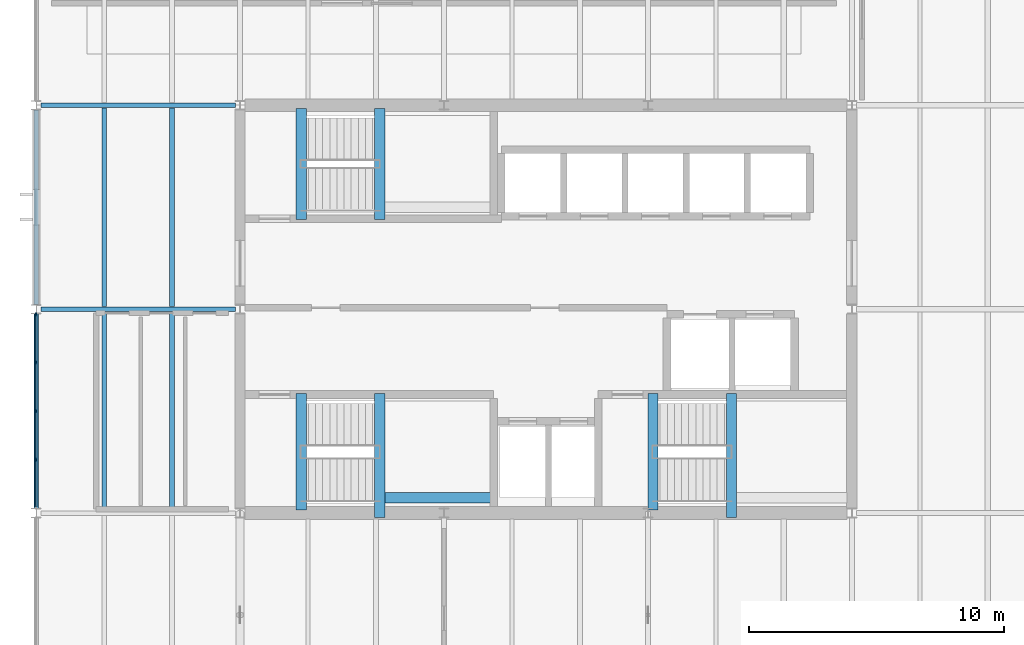
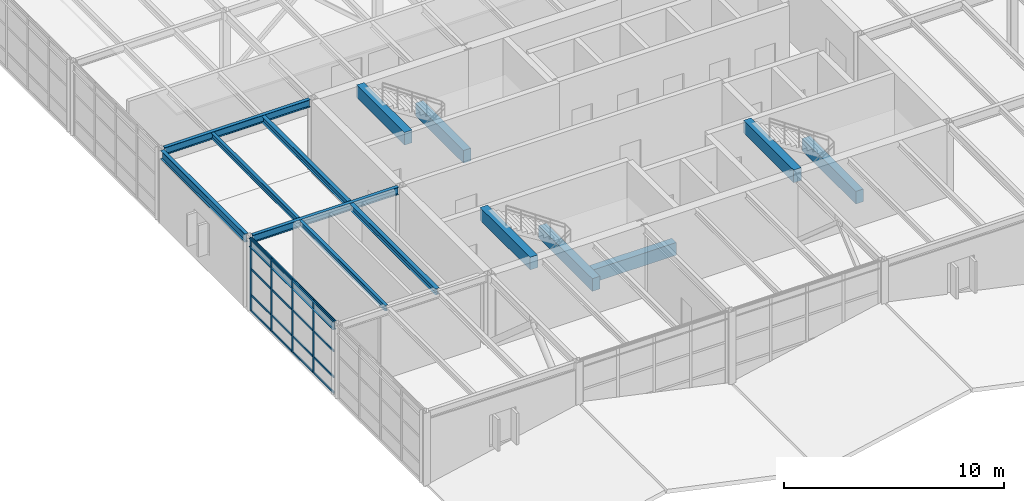
# One storey, part 8 of 34: 20 members, 15 beams, 1 element without a shape of its own.
"""IFC4 building model written with IfcOpenShell, lengths in metres."""

from ifc_helpers import new_model, si_unit, direction, frame, origin, origin_2d, place, context, subcontext, project, spatial, rectangle, i_section, extrude, material, layer, layer_set, material_profile, profile_set, type_object, element, aggregate, save


model = new_model("IFC4")

# Units and contexts
model_context = context("Model", 3, precision=1e-05, world=origin(), true_north=direction((0.0, 1.0)))
body_context = subcontext(model_context, "Body", "Model", "MODEL_VIEW")
ifc_project = project(units=[si_unit("LENGTHUNIT", "METRE"), si_unit("AREAUNIT", "SQUARE_METRE"), si_unit("VOLUMEUNIT", "CUBIC_METRE"), si_unit("PLANEANGLEUNIT", "RADIAN"), si_unit("MASSUNIT", "GRAM", prefix="KILO")], contexts=[model_context])

# Site, building, storey
site_placement = place(None, origin())
site = spatial("IfcSite", under=ifc_project, at=site_placement, CompositionType="ELEMENT")
building_placement = place(site_placement, origin())
building = spatial("IfcBuilding", under=site, at=building_placement, Name="Varnela Railside Interchange", CompositionType="ELEMENT")
storey_placement = place(building_placement, frame((0.0, 0.0, 19.60009765625)))
storey = spatial("IfcBuildingStorey", under=building, at=storey_placement, Name="L04", CompositionType="ELEMENT", Elevation=19.60009765625)

# Beams
ifc_material_1 = material(Name="Steel AR 350 (350 MPa)", Category="steel")
ifc_material_profile_1 = material_profile(ifc_material_1, i_section(OverallWidth=0.1650390625, OverallDepth=0.31005859375, WebThickness=0.005859375, FlangeThickness=0.009765625, at=origin_2d()), Name="W310x38.7")
ifc_profile_set_1 = profile_set([ifc_material_profile_1], Name="Steel AR 350 (350 MPa)")
beam_type_1 = type_object("IfcBeamType", Name="Composite Floor Joist J-04", PredefinedType="JOIST", material=ifc_profile_set_1)
for number, where, z_axis, x_axis, name in (
    (1, (6.669921875, 54.1044921875, 3.864990234375), (0.0, 1.0, 0.0), (-1.0, 0.0, 0.0), "Composite Floor Joist J-04 (L04) (BM-2370)"),
    (2, (6.669921875, 62.1044921875, 3.864990234375), (0.0, 1.0, 0.0), (-1.0, 0.0, 0.0), "Composite Floor Joist J-04 (L04) (BM-2372)"),
):
    element("IfcBeam", number, at=place(storey_placement, frame(where, z_axis=z_axis, x_axis=x_axis)), inside=storey, type_object=beam_type_1, Name=name, PredefinedType="JOIST", context=body_context, shape_type="SweptSolid", body=[
        extrude(i_section(OverallWidth=0.1650390625, OverallDepth=0.31005859375, WebThickness=0.005859375, FlangeThickness=0.009765625, at=origin_2d()), origin(), (0.0, 0.0, 1.0), 7.791015625),
    ])
ifc_material_profile_2 = material_profile(ifc_material_1, i_section(OverallWidth=0.202880859375, OverallDepth=0.346923828125, WebThickness=0.0078125, FlangeThickness=0.013427734375, at=origin_2d()), Name="W360x64")
ifc_profile_set_2 = profile_set([ifc_material_profile_2], Name="Steel AR 350 (350 MPa)")
beam_type_2 = type_object("IfcBeamType", Name="Composite Heavy Joist J-01", PredefinedType="JOIST", material=ifc_profile_set_2)
for number, where, z_axis, x_axis, name in (
    (3, (9.330078125, 54.1044921875, 3.846435546875), (0.0, 1.0, 0.0), (-1.0, 0.0, 0.0), "Composite Heavy Joist J-01 (L04) (BM-2371)"),
    (4, (9.330078125, 62.1044921875, 3.846435546875), (0.0, 1.0, 0.0), (-1.0, 0.0, 0.0), "Composite Heavy Joist J-01 (L04) (BM-2373)"),
):
    element("IfcBeam", number, at=place(storey_placement, frame(where, z_axis=z_axis, x_axis=x_axis)), inside=storey, type_object=beam_type_2, Name=name, PredefinedType="JOIST", context=body_context, shape_type="SweptSolid", body=[
        extrude(i_section(OverallWidth=0.202880859375, OverallDepth=0.346923828125, WebThickness=0.0078125, FlangeThickness=0.013427734375, at=origin_2d()), origin(), (0.0, 0.0, 1.0), 7.791015625),
    ])
ifc_material_2 = material(Name="Concrete C40", Category="concrete")
ifc_material_profile_3 = material_profile(ifc_material_2, rectangle(XDim=0.39990234375, YDim=0.699951171875, at=origin_2d()), Name="RC 400x700")
ifc_profile_set_3 = profile_set([ifc_material_profile_3], Name="Concrete C40")
beam_type_3 = type_object("IfcBeamType", Name="Concrete Tie Beam B-01", PredefinedType="BEAM", material=ifc_profile_set_3)
beam_1_placement = place(storey_placement, frame((14.39990234375, 54.1201171875, 3.669921875), z_axis=(0.0, 1.0, 0.0), x_axis=(-1.0, 0.0, 0.0)))
element("IfcBeam", 5, at=beam_1_placement, inside=storey, type_object=beam_type_3, Name="Concrete Tie Beam B-01 (L04) (BM-2537)", PredefinedType="BEAM", context=body_context, shape_type="SweptSolid", body=[
    extrude(rectangle(XDim=0.39990234375, YDim=0.699951171875, at=origin_2d()), origin(), (0.0, 0.0, 1.0), 4.559814453125),
])
beam_2_placement = place(storey_placement, frame((17.47998046875, 53.820068359375, 1.58984375), z_axis=(0.0, 1.0, 0.0), x_axis=(-1.0, 0.0, 0.0)))
element("IfcBeam", 6, at=beam_2_placement, inside=storey, type_object=beam_type_3, Name="Concrete Tie Beam B-01 (L04) (BM-2534)", PredefinedType="BEAM", context=body_context, shape_type="SweptSolid", body=[
    extrude(rectangle(XDim=0.39990234375, YDim=0.699951171875, at=origin_2d()), origin(), (0.0, 0.0, 1.0), 4.85986328125),
])
beam_3_placement = place(storey_placement, frame((17.679931640625, 54.60009765625, 1.58984375), z_axis=(1.0, 0.0, 0.0), x_axis=(0.0, 1.0, 0.0)))
element("IfcBeam", 7, at=beam_3_placement, inside=storey, type_object=beam_type_3, Name="Concrete Tie Beam B-01 (L04) (BM-2531)", PredefinedType="BEAM", context=body_context, shape_type="SweptSolid", body=[
    extrude(rectangle(XDim=0.39990234375, YDim=0.699951171875, at=origin_2d()), origin(), (0.0, 0.0, 1.0), 4.340087890625),
])
beam_4_placement = place(storey_placement, frame((28.199951171875, 54.1201171875, 3.669921875), z_axis=(0.0, 1.0, 0.0), x_axis=(-1.0, 0.0, 0.0)))
element("IfcBeam", 8, at=beam_4_placement, inside=storey, type_object=beam_type_3, Name="Concrete Tie Beam B-01 (L04) (BM-2538)", PredefinedType="BEAM", context=body_context, shape_type="SweptSolid", body=[
    extrude(rectangle(XDim=0.39990234375, YDim=0.699951171875, at=origin_2d()), origin(), (0.0, 0.0, 1.0), 4.559814453125),
])
beam_5_placement = place(storey_placement, frame((31.280029296875, 53.820068359375, 1.58984375), z_axis=(0.0, 1.0, 0.0), x_axis=(-1.0, 0.0, 0.0)))
element("IfcBeam", 9, at=beam_5_placement, inside=storey, type_object=beam_type_3, Name="Concrete Tie Beam B-01 (L04) (BM-2535)", PredefinedType="BEAM", context=body_context, shape_type="SweptSolid", body=[
    extrude(rectangle(XDim=0.39990234375, YDim=0.699951171875, at=origin_2d()), origin(), (0.0, 0.0, 1.0), 4.85986328125),
])
for number, where, z_axis, x_axis, name in (
    (10, (14.39990234375, 65.52001953125, 3.669921875), (0.0, 1.0, 0.0), (-1.0, 0.0, 0.0), "Concrete Tie Beam B-01 (L04) (BM-2539)"),
    (11, (17.47998046875, 65.52001953125, 1.58984375), (0.0, 1.0, 0.0), (-1.0, 0.0, 0.0), "Concrete Tie Beam B-01 (L04) (BM-2536)"),
):
    element("IfcBeam", number, at=place(storey_placement, frame(where, z_axis=z_axis, x_axis=x_axis)), inside=storey, type_object=beam_type_3, Name=name, PredefinedType="BEAM", context=body_context, shape_type="SweptSolid", body=[
        extrude(rectangle(XDim=0.39990234375, YDim=0.699951171875, at=origin_2d()), origin(), (0.0, 0.0, 1.0), 4.35986328125),
    ])

# Curtain wall, members
ifc_material_3 = material(Name="Aluminium 6063-T6", Category="aluminium")
ifc_layer = layer(ifc_material_3, 0.035888671875)
ifc_layer_set = layer_set([ifc_layer], Name="Aluminium 6063-T6")
curtain_wall_type = type_object("IfcCurtainWallType", Name="Operations Wing Facade Curtain Wall CW-03", PredefinedType="USERDEFINED", material=ifc_layer_set)
curtain_wall_placement = place(storey_placement, origin())
curtain_wall = element("IfcCurtainWall", 12, at=curtain_wall_placement, inside=storey, type_object=curtain_wall_type, Name="Curtain Wall CW-03 (L04) (CW-122)", ObjectType="CURTAIN WALL", PredefinedType="USERDEFINED")
ifc_material_profile_4 = material_profile(ifc_material_3, rectangle(XDim=0.06005859375, YDim=0.139892578125, at=origin_2d()), Name="ALU 60x140")
ifc_profile_set_4 = profile_set([ifc_material_profile_4], Name="Aluminium 6063-T6")
member_type_1 = type_object("IfcMemberType", Name="Curtain Wall Mullion ML-01", PredefinedType="MULLION", material=ifc_profile_set_4)
member_1_placement = place(storey_placement, frame((4.0, 56.090087890625, 0.0), z_axis=(0.0, 0.0, 1.0), x_axis=(-1.0, 0.0, 0.0)))
member_1 = element("IfcMember", 13, at=member_1_placement, type_object=member_type_1, Name="CW-03 mullion 2", PredefinedType="MULLION", context=body_context, shape_type="SweptSolid", body=[
    extrude(rectangle(XDim=0.06005859375, YDim=0.139892578125, at=origin_2d()), origin(), (0.0, 0.0, 1.0), 4.02001953125),
])
member_2_placement = place(storey_placement, frame((4.0, 58.0, 0.0), z_axis=(0.0, 0.0, 1.0), x_axis=(-1.0, 0.0, 0.0)))
member_2 = element("IfcMember", 14, at=member_2_placement, type_object=member_type_1, Name="CW-03 mullion 3", PredefinedType="MULLION", context=body_context, shape_type="SweptSolid", body=[
    extrude(rectangle(XDim=0.06005859375, YDim=0.139892578125, at=origin_2d()), origin(), (0.0, 0.0, 1.0), 4.02001953125),
])
member_3_placement = place(storey_placement, frame((4.0, 59.909912109375, 0.0), z_axis=(0.0, 0.0, 1.0), x_axis=(-1.0, 0.0, 0.0)))
member_3 = element("IfcMember", 15, at=member_3_placement, type_object=member_type_1, Name="CW-03 mullion 4", PredefinedType="MULLION", context=body_context, shape_type="SweptSolid", body=[
    extrude(rectangle(XDim=0.06005859375, YDim=0.139892578125, at=origin_2d()), origin(), (0.0, 0.0, 1.0), 4.02001953125),
])
member_4_placement = place(storey_placement, frame((4.0, 61.7900390625, 0.0), z_axis=(0.0, 0.0, 1.0), x_axis=(-1.0, 0.0, 0.0)))
member_4 = element("IfcMember", 16, at=member_4_placement, type_object=member_type_1, Name="CW-03 mullion 5", PredefinedType="MULLION", context=body_context, shape_type="SweptSolid", body=[
    extrude(rectangle(XDim=0.06005859375, YDim=0.139892578125, at=origin_2d()), origin(), (0.0, 0.0, 1.0), 4.02001953125),
])
ifc_material_profile_5 = material_profile(ifc_material_3, rectangle(XDim=0.06005859375, YDim=0.110107421875, at=origin_2d()), Name="ALU 60x110")
ifc_profile_set_5 = profile_set([ifc_material_profile_5], Name="Aluminium 6063-T6")
member_type_2 = type_object("IfcMemberType", Name="Curtain Wall Transom TR-01", PredefinedType="USERDEFINED", material=ifc_profile_set_5)
member_5_placement = place(storey_placement, frame((4.0, 54.239990234375, 0.02978515625), z_axis=(0.0, 1.0, 0.0), x_axis=(-1.0, 0.0, 0.0)))
member_5 = element("IfcMember", 17, at=member_5_placement, type_object=member_type_2, Name="CW-03 transom 1.1", ObjectType="TRANSOM", PredefinedType="USERDEFINED", context=body_context, shape_type="SweptSolid", body=[
    extrude(rectangle(XDim=0.06005859375, YDim=0.110107421875, at=origin_2d()), origin(), (0.0, 0.0, 1.0), 1.820068359375),
])
member_6_placement = place(storey_placement, frame((4.0, 54.239990234375, 0.89990234375), z_axis=(0.0, 1.0, 0.0), x_axis=(-1.0, 0.0, 0.0)))
member_6 = element("IfcMember", 18, at=member_6_placement, type_object=member_type_2, Name="CW-03 transom 1.2", ObjectType="TRANSOM", PredefinedType="USERDEFINED", context=body_context, shape_type="SweptSolid", body=[
    extrude(rectangle(XDim=0.06005859375, YDim=0.110107421875, at=origin_2d()), origin(), (0.0, 0.0, 1.0), 1.820068359375),
])
member_7_placement = place(storey_placement, frame((4.0, 54.239990234375, 2.33154296875), z_axis=(0.0, 1.0, 0.0), x_axis=(-1.0, 0.0, 0.0)))
member_7 = element("IfcMember", 19, at=member_7_placement, type_object=member_type_2, Name="CW-03 transom 1.3", ObjectType="TRANSOM", PredefinedType="USERDEFINED", context=body_context, shape_type="SweptSolid", body=[
    extrude(rectangle(XDim=0.06005859375, YDim=0.110107421875, at=origin_2d()), origin(), (0.0, 0.0, 1.0), 1.820068359375),
])
member_8_placement = place(storey_placement, frame((4.0, 54.239990234375, 3.989990234375), z_axis=(0.0, 1.0, 0.0), x_axis=(-1.0, 0.0, 0.0)))
member_8 = element("IfcMember", 20, at=member_8_placement, type_object=member_type_2, Name="CW-03 transom 1.4", ObjectType="TRANSOM", PredefinedType="USERDEFINED", context=body_context, shape_type="SweptSolid", body=[
    extrude(rectangle(XDim=0.06005859375, YDim=0.110107421875, at=origin_2d()), origin(), (0.0, 0.0, 1.0), 1.820068359375),
])
member_9_placement = place(storey_placement, frame((4.0, 56.1201171875, 0.02978515625), z_axis=(0.0, 1.0, 0.0), x_axis=(-1.0, 0.0, 0.0)))
member_9 = element("IfcMember", 21, at=member_9_placement, type_object=member_type_2, Name="CW-03 transom 2.1", ObjectType="TRANSOM", PredefinedType="USERDEFINED", context=body_context, shape_type="SweptSolid", body=[
    extrude(rectangle(XDim=0.06005859375, YDim=0.110107421875, at=origin_2d()), origin(), (0.0, 0.0, 1.0), 1.849853515625),
])
member_10_placement = place(storey_placement, frame((4.0, 56.1201171875, 0.89990234375), z_axis=(0.0, 1.0, 0.0), x_axis=(-1.0, 0.0, 0.0)))
member_10 = element("IfcMember", 22, at=member_10_placement, type_object=member_type_2, Name="CW-03 transom 2.2", ObjectType="TRANSOM", PredefinedType="USERDEFINED", context=body_context, shape_type="SweptSolid", body=[
    extrude(rectangle(XDim=0.06005859375, YDim=0.110107421875, at=origin_2d()), origin(), (0.0, 0.0, 1.0), 1.849853515625),
])
member_11_placement = place(storey_placement, frame((4.0, 56.1201171875, 2.33154296875), z_axis=(0.0, 1.0, 0.0), x_axis=(-1.0, 0.0, 0.0)))
member_11 = element("IfcMember", 23, at=member_11_placement, type_object=member_type_2, Name="CW-03 transom 2.3", ObjectType="TRANSOM", PredefinedType="USERDEFINED", context=body_context, shape_type="SweptSolid", body=[
    extrude(rectangle(XDim=0.06005859375, YDim=0.110107421875, at=origin_2d()), origin(), (0.0, 0.0, 1.0), 1.849853515625),
])
member_12_placement = place(storey_placement, frame((4.0, 56.1201171875, 3.989990234375), z_axis=(0.0, 1.0, 0.0), x_axis=(-1.0, 0.0, 0.0)))
member_12 = element("IfcMember", 24, at=member_12_placement, type_object=member_type_2, Name="CW-03 transom 2.4", ObjectType="TRANSOM", PredefinedType="USERDEFINED", context=body_context, shape_type="SweptSolid", body=[
    extrude(rectangle(XDim=0.06005859375, YDim=0.110107421875, at=origin_2d()), origin(), (0.0, 0.0, 1.0), 1.849853515625),
])
member_13_placement = place(storey_placement, frame((4.0, 58.030029296875, 0.02978515625), z_axis=(0.0, 1.0, 0.0), x_axis=(-1.0, 0.0, 0.0)))
member_13 = element("IfcMember", 25, at=member_13_placement, type_object=member_type_2, Name="CW-03 transom 3.1", ObjectType="TRANSOM", PredefinedType="USERDEFINED", context=body_context, shape_type="SweptSolid", body=[
    extrude(rectangle(XDim=0.06005859375, YDim=0.110107421875, at=origin_2d()), origin(), (0.0, 0.0, 1.0), 1.849853515625),
])
member_14_placement = place(storey_placement, frame((4.0, 58.030029296875, 0.89990234375), z_axis=(0.0, 1.0, 0.0), x_axis=(-1.0, 0.0, 0.0)))
member_14 = element("IfcMember", 26, at=member_14_placement, type_object=member_type_2, Name="CW-03 transom 3.2", ObjectType="TRANSOM", PredefinedType="USERDEFINED", context=body_context, shape_type="SweptSolid", body=[
    extrude(rectangle(XDim=0.06005859375, YDim=0.110107421875, at=origin_2d()), origin(), (0.0, 0.0, 1.0), 1.849853515625),
])
member_15_placement = place(storey_placement, frame((4.0, 58.030029296875, 2.33154296875), z_axis=(0.0, 1.0, 0.0), x_axis=(-1.0, 0.0, 0.0)))
member_15 = element("IfcMember", 27, at=member_15_placement, type_object=member_type_2, Name="CW-03 transom 3.3", ObjectType="TRANSOM", PredefinedType="USERDEFINED", context=body_context, shape_type="SweptSolid", body=[
    extrude(rectangle(XDim=0.06005859375, YDim=0.110107421875, at=origin_2d()), origin(), (0.0, 0.0, 1.0), 1.849853515625),
])
member_16_placement = place(storey_placement, frame((4.0, 58.030029296875, 3.989990234375), z_axis=(0.0, 1.0, 0.0), x_axis=(-1.0, 0.0, 0.0)))
member_16 = element("IfcMember", 28, at=member_16_placement, type_object=member_type_2, Name="CW-03 transom 3.4", ObjectType="TRANSOM", PredefinedType="USERDEFINED", context=body_context, shape_type="SweptSolid", body=[
    extrude(rectangle(XDim=0.06005859375, YDim=0.110107421875, at=origin_2d()), origin(), (0.0, 0.0, 1.0), 1.849853515625),
])
member_17_placement = place(storey_placement, frame((4.0, 59.93994140625, 0.02978515625), z_axis=(0.0, 1.0, 0.0), x_axis=(-1.0, 0.0, 0.0)))
member_17 = element("IfcMember", 29, at=member_17_placement, type_object=member_type_2, Name="CW-03 transom 4.1", ObjectType="TRANSOM", PredefinedType="USERDEFINED", context=body_context, shape_type="SweptSolid", body=[
    extrude(rectangle(XDim=0.06005859375, YDim=0.110107421875, at=origin_2d()), origin(), (0.0, 0.0, 1.0), 1.820068359375),
])
member_18_placement = place(storey_placement, frame((4.0, 59.93994140625, 0.89990234375), z_axis=(0.0, 1.0, 0.0), x_axis=(-1.0, 0.0, 0.0)))
member_18 = element("IfcMember", 30, at=member_18_placement, type_object=member_type_2, Name="CW-03 transom 4.2", ObjectType="TRANSOM", PredefinedType="USERDEFINED", context=body_context, shape_type="SweptSolid", body=[
    extrude(rectangle(XDim=0.06005859375, YDim=0.110107421875, at=origin_2d()), origin(), (0.0, 0.0, 1.0), 1.820068359375),
])
member_19_placement = place(storey_placement, frame((4.0, 59.93994140625, 2.33154296875), z_axis=(0.0, 1.0, 0.0), x_axis=(-1.0, 0.0, 0.0)))
member_19 = element("IfcMember", 31, at=member_19_placement, type_object=member_type_2, Name="CW-03 transom 4.3", ObjectType="TRANSOM", PredefinedType="USERDEFINED", context=body_context, shape_type="SweptSolid", body=[
    extrude(rectangle(XDim=0.06005859375, YDim=0.110107421875, at=origin_2d()), origin(), (0.0, 0.0, 1.0), 1.820068359375),
])
member_20_placement = place(storey_placement, frame((4.0, 59.93994140625, 3.989990234375), z_axis=(0.0, 1.0, 0.0), x_axis=(-1.0, 0.0, 0.0)))
member_20 = element("IfcMember", 32, at=member_20_placement, type_object=member_type_2, Name="CW-03 transom 4.4", ObjectType="TRANSOM", PredefinedType="USERDEFINED", context=body_context, shape_type="SweptSolid", body=[
    extrude(rectangle(XDim=0.06005859375, YDim=0.110107421875, at=origin_2d()), origin(), (0.0, 0.0, 1.0), 1.820068359375),
])
aggregate(curtain_wall, [member_1, member_2, member_3, member_4, member_5, member_6, member_7, member_8, member_9, member_10, member_11, member_12, member_13, member_14, member_15, member_16, member_17, member_18, member_19, member_20])

# Beams
ifc_material_profile_6 = material_profile(ifc_material_1, i_section(OverallWidth=0.19091796875, OverallDepth=0.4599609375, WebThickness=0.010009765625, FlangeThickness=0.01611328125, at=origin_2d()), Name="W460x82")
ifc_profile_set_6 = profile_set([ifc_material_profile_6], Name="Steel AR 350 (350 MPa)")
beam_type_4 = type_object("IfcBeamType", Name="Steel Perimeter Spandrel SP-01", PredefinedType="SPANDREL", material=ifc_profile_set_6)
for number, where, z_axis, x_axis, name in (
    (33, (4.0, 54.179931640625, 3.789794921875), (0.0, 1.0, 0.0), (-1.0, 0.0, 0.0), "Steel Perimeter Spandrel SP-01 (L04) (BM-2498)"),
    (34, (4.0, 62.179931640625, 3.789794921875), (0.0, 1.0, 0.0), (-1.0, 0.0, 0.0), "Steel Perimeter Spandrel SP-01 (L04) (BM-2499)"),
):
    element("IfcBeam", number, at=place(storey_placement, frame(where, z_axis=z_axis, x_axis=x_axis)), inside=storey, type_object=beam_type_4, Name=name, PredefinedType="SPANDREL", context=body_context, shape_type="SweptSolid", body=[
        extrude(i_section(OverallWidth=0.19091796875, OverallDepth=0.4599609375, WebThickness=0.010009765625, FlangeThickness=0.01611328125, at=origin_2d()), origin(), (0.0, 0.0, 1.0), 7.64013671875),
    ])
ifc_material_profile_7 = material_profile(ifc_material_1, i_section(OverallWidth=0.178955078125, OverallDepth=0.409912109375, WebThickness=0.0087890625, FlangeThickness=0.014404296875, at=origin_2d()), Name="W410x67")
ifc_profile_set_7 = profile_set([ifc_material_profile_7], Name="Steel AR 350 (350 MPa)")
beam_type_5 = type_object("IfcBeamType", Name="Steel Terrace Spandrel SP-02", PredefinedType="SPANDREL", material=ifc_profile_set_7)
for number, where, z_axis, x_axis, name in (
    (35, (4.18505859375, 62.0, 3.81494140625), (1.0, 0.0, 0.0), (0.0, 1.0, 0.0), "Steel Terrace Spandrel SP-02 (L04) (BM-2443)"),
    (36, (4.18505859375, 70.0, 3.81494140625), (1.0, 0.0, 0.0), (0.0, 1.0, 0.0), "Steel Terrace Spandrel SP-02 (L04) (BM-2449)"),
):
    element("IfcBeam", number, at=place(storey_placement, frame(where, z_axis=z_axis, x_axis=x_axis)), inside=storey, type_object=beam_type_5, Name=name, PredefinedType="SPANDREL", context=body_context, shape_type="SweptSolid", body=[
        extrude(i_section(OverallWidth=0.178955078125, OverallDepth=0.409912109375, WebThickness=0.0087890625, FlangeThickness=0.014404296875, at=origin_2d()), origin(), (0.0, 0.0, 1.0), 7.62841796875),
    ])

save(model, "model.ifc")
